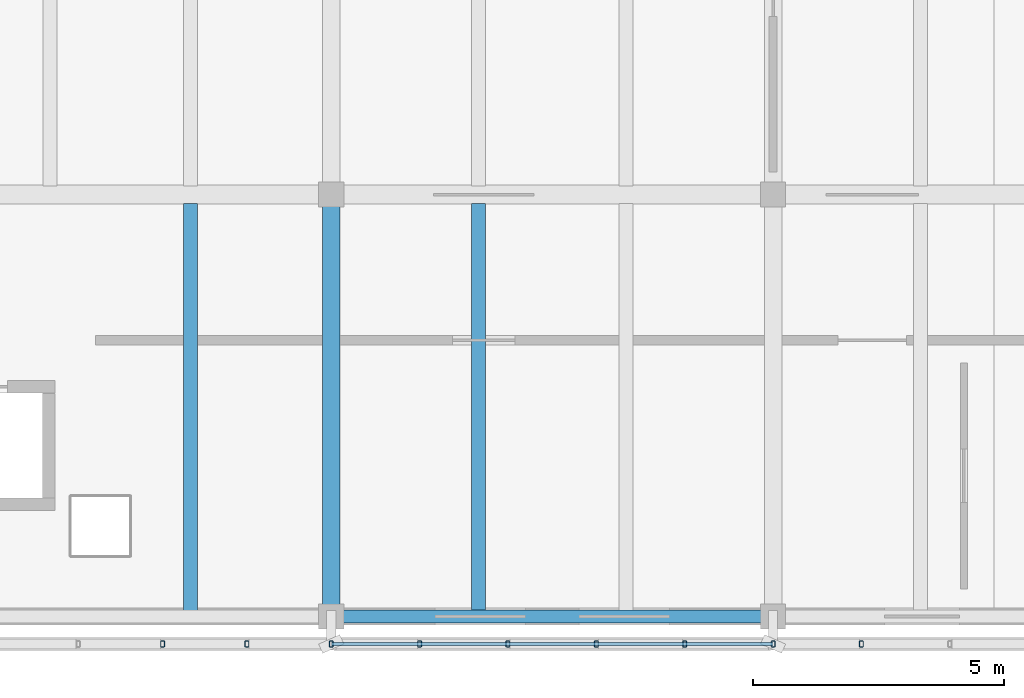
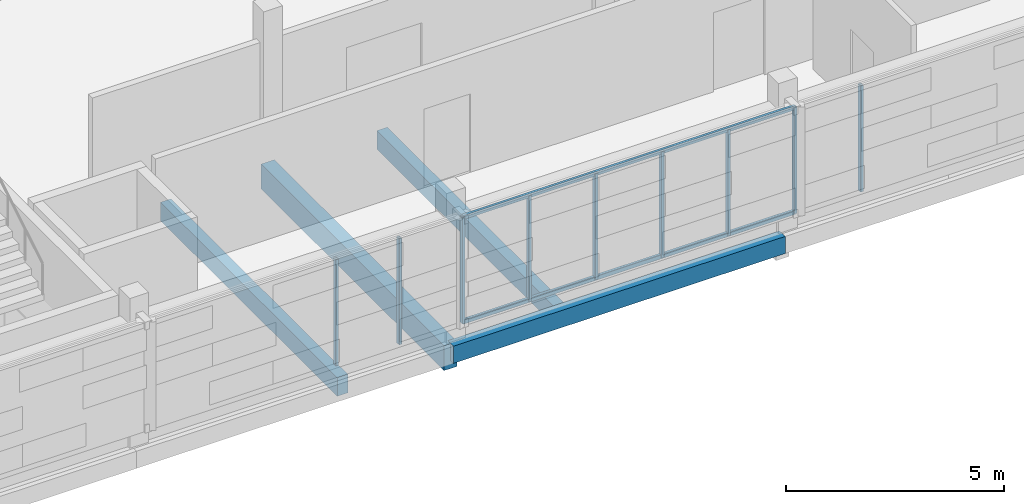
# One storey, part 23 of 137: 11 members, 4 beams.
"""IFC4 building model written with IfcOpenShell, lengths in metres."""

from ifc_helpers import new_model, si_unit, direction, frame, origin, origin_2d, place, context, subcontext, project, spatial, rectangle, hollow_rectangle, extrude, material, material_profile, profile_set, type_object, element, save


model = new_model("IFC4")

# Units and contexts
model_context = context("Model", 3, precision=1e-05, world=origin(), true_north=direction((0.0, 1.0)))
body_context = subcontext(model_context, "Body", "Model", "MODEL_VIEW")
ifc_project = project(units=[si_unit("LENGTHUNIT", "METRE"), si_unit("AREAUNIT", "SQUARE_METRE"), si_unit("VOLUMEUNIT", "CUBIC_METRE"), si_unit("PLANEANGLEUNIT", "RADIAN"), si_unit("MASSUNIT", "GRAM", prefix="KILO")], contexts=[model_context])

# Site, building, storey
site_placement = place(None, origin())
site = spatial("IfcSite", under=ifc_project, at=site_placement, CompositionType="ELEMENT")
building_placement = place(site_placement, origin())
building = spatial("IfcBuilding", under=site, at=building_placement, Name="Cinderway Yard Community Centre", CompositionType="ELEMENT")
storey_placement = place(building_placement, frame((0.0, 0.0, 4.800048828125)))
storey = spatial("IfcBuildingStorey", under=building, at=storey_placement, Name="L01", CompositionType="ELEMENT", Elevation=4.800048828125)

# Members
ifc_material_1 = material(Name="Steel S355", Category="steel")
ifc_material_profile_1 = material_profile(ifc_material_1, hollow_rectangle(XDim=0.080078125, YDim=0.1201171875, WallThickness=0.00634765625, InnerFilletRadius=0.00634765625, OuterFilletRadius=0.0126953125, at=origin_2d()), Name="Steel S355")
ifc_profile_set_1 = profile_set([ifc_material_profile_1], Name="Steel S355")
member_type = type_object("IfcMemberType", Name="ENV-MEM-SCREEN-RAIL-120", PredefinedType="STRINGER", material=ifc_profile_set_1)
for number, where, z_axis, x_axis, name in (
    (1, (71.840087890625, 5.449951171875, 0.68994140625), (0.0, 0.0, 1.0), (1.0, 0.0, 0.0), "Screen vertical mullion 0557"),
    (2, (73.52001953125, 5.449951171875, 0.68994140625), (0.0, 0.0, 1.0), (1.0, 0.0, 0.0), "Screen vertical mullion 0558"),
    (3, (75.199951171875, 5.449951171875, 0.68994140625), (0.0, 0.0, 1.0), (1.0, 0.0, 0.0), "Screen vertical mullion 0559"),
):
    element("IfcMember", number, at=place(storey_placement, frame(where, z_axis=z_axis, x_axis=x_axis)), inside=storey, type_object=member_type, Name=name, PredefinedType="STRINGER", context=body_context, shape_type="SweptSolid", body=[
        extrude(hollow_rectangle(XDim=0.080078125, YDim=0.1201171875, WallThickness=0.00634765625, InnerFilletRadius=0.00634765625, OuterFilletRadius=0.0126953125, at=origin_2d()), origin(), (0.0, 0.0, 1.0), 2.969970703125),
    ])
for number, where, z_axis, x_axis, name in (
    (4, (75.199951171875, 5.449951171875, 0.7099609375), (1.0, 0.0, 0.0), (0.0, 1.0, 0.0), "Screen support rail 0561-BOT"),
    (5, (75.199951171875, 5.449951171875, 3.639892578125), (1.0, 0.0, 0.0), (0.0, 1.0, 0.0), "Screen support rail 0562-TOP"),
):
    element("IfcMember", number, at=place(storey_placement, frame(where, z_axis=z_axis, x_axis=x_axis)), inside=storey, type_object=member_type, Name=name, PredefinedType="STRINGER", context=body_context, shape_type="SweptSolid", body=[
        extrude(hollow_rectangle(XDim=0.080078125, YDim=0.1201171875, WallThickness=0.00634765625, InnerFilletRadius=0.00634765625, OuterFilletRadius=0.0126953125, at=origin_2d()), origin(), (0.0, 0.0, 1.0), 8.800048828125),
    ])
for number, where, z_axis, x_axis, name in (
    (6, (76.9599609375, 5.449951171875, 0.68994140625), (0.0, 0.0, 1.0), (1.0, 0.0, 0.0), "Screen vertical mullion 0563"),
    (7, (78.719970703125, 5.449951171875, 0.68994140625), (0.0, 0.0, 1.0), (1.0, 0.0, 0.0), "Screen vertical mullion 0564"),
    (8, (80.47998046875, 5.449951171875, 0.68994140625), (0.0, 0.0, 1.0), (1.0, 0.0, 0.0), "Screen vertical mullion 0565"),
    (9, (82.239990234375, 5.449951171875, 0.68994140625), (0.0, 0.0, 1.0), (1.0, 0.0, 0.0), "Screen vertical mullion 0566"),
    (10, (84.0, 5.449951171875, 0.68994140625), (0.0, 0.0, 1.0), (1.0, 0.0, 0.0), "Screen vertical mullion 0567"),
    (11, (85.760009765625, 5.449951171875, 0.68994140625), (0.0, 0.0, 1.0), (1.0, 0.0, 0.0), "Screen vertical mullion 0571"),
):
    element("IfcMember", number, at=place(storey_placement, frame(where, z_axis=z_axis, x_axis=x_axis)), inside=storey, type_object=member_type, Name=name, PredefinedType="STRINGER", context=body_context, shape_type="SweptSolid", body=[
        extrude(hollow_rectangle(XDim=0.080078125, YDim=0.1201171875, WallThickness=0.00634765625, InnerFilletRadius=0.00634765625, OuterFilletRadius=0.0126953125, at=origin_2d()), origin(), (0.0, 0.0, 1.0), 2.969970703125),
    ])

# Beams
ifc_material_2 = material(Name="Concrete C40/50", Category="concrete")
ifc_material_profile_2 = material_profile(ifc_material_2, rectangle(XDim=0.260009765625, YDim=0.47998046875, at=origin_2d()), Name="Concrete C40/50")
ifc_profile_set_2 = profile_set([ifc_material_profile_2], Name="Concrete C40/50")
beam_type_1 = type_object("IfcBeamType", Name="STR-BM-RC260X480", PredefinedType="SPANDREL", material=ifc_profile_set_2)
beam_1_placement = place(storey_placement, frame((75.199951171875, 6.0, -0.47998046875), z_axis=(1.0, 0.0, 0.0), x_axis=(0.0, 1.0, 0.0)))
element("IfcBeam", 12, at=beam_1_placement, inside=storey, type_object=beam_type_1, Name="Primary girder STR-BM-L01-SP01-0113", PredefinedType="SPANDREL", context=body_context, shape_type="SweptSolid", body=[
    extrude(rectangle(XDim=0.260009765625, YDim=0.47998046875, at=origin_2d()), origin(), (0.0, 0.0, 1.0), 8.800048828125),
])
ifc_material_3 = material(Name="Concrete C35/45", Category="concrete")
ifc_material_profile_3 = material_profile(ifc_material_3, rectangle(XDim=0.280029296875, YDim=0.52001953125, at=origin_2d()), Name="Concrete C35/45")
ifc_profile_set_3 = profile_set([ifc_material_profile_3], Name="Concrete C35/45")
beam_type_2 = type_object("IfcBeamType", Name="STR-BM-RC280X520", PredefinedType="JOIST", material=ifc_profile_set_3)
for number, where, z_axis, x_axis, name in (
    (13, (72.39990234375, 6.112060546875, -0.5), (0.0, 1.0, 0.0), (-1.0, 0.0, 0.0), "Secondary joist STR-BM-L01-BJ04-0150"),
    (14, (78.133056640625, 6.112060546875, -0.5), (0.0, 1.0, 0.0), (-1.0, 0.0, 0.0), "Secondary joist STR-BM-L01-BJ04-0153"),
):
    element("IfcBeam", number, at=place(storey_placement, frame(where, z_axis=z_axis, x_axis=x_axis)), inside=storey, type_object=beam_type_2, Name=name, PredefinedType="JOIST", context=body_context, shape_type="SweptSolid", body=[
        extrude(rectangle(XDim=0.280029296875, YDim=0.52001953125, at=origin_2d()), origin(), (0.0, 0.0, 1.0), 8.115966796875),
    ])
ifc_material_profile_4 = material_profile(ifc_material_3, rectangle(XDim=0.35009765625, YDim=0.699951171875, at=origin_2d()), Name="Concrete C35/45")
ifc_profile_set_4 = profile_set([ifc_material_profile_4], Name="Concrete C35/45")
beam_type_3 = type_object("IfcBeamType", Name="STR-BM-RC350X700", PredefinedType="BEAM", material=ifc_profile_set_4)
beam_2_placement = place(storey_placement, frame((75.199951171875, 6.0, -0.590087890625), z_axis=(0.0, 1.0, 0.0), x_axis=(-1.0, 0.0, 0.0)))
element("IfcBeam", 15, at=beam_2_placement, inside=storey, type_object=beam_type_3, Name="Transverse girder STR-BM-L01-BG07-0135", PredefinedType="BEAM", context=body_context, shape_type="SweptSolid", body=[
    extrude(rectangle(XDim=0.35009765625, YDim=0.699951171875, at=origin_2d()), origin(), (0.0, 0.0, 1.0), 8.39990234375),
])

save(model, "model.ifc")
